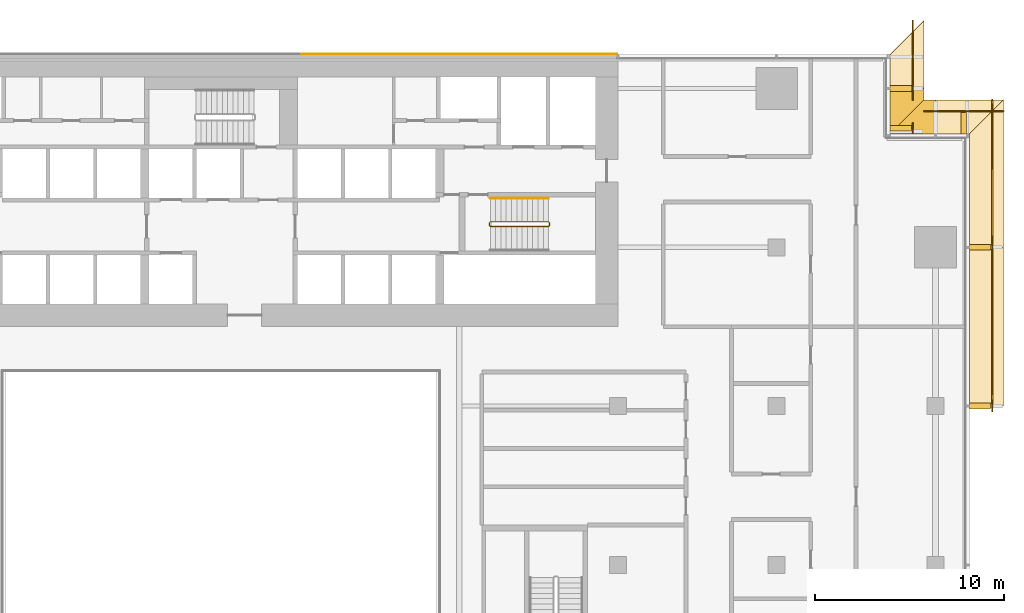
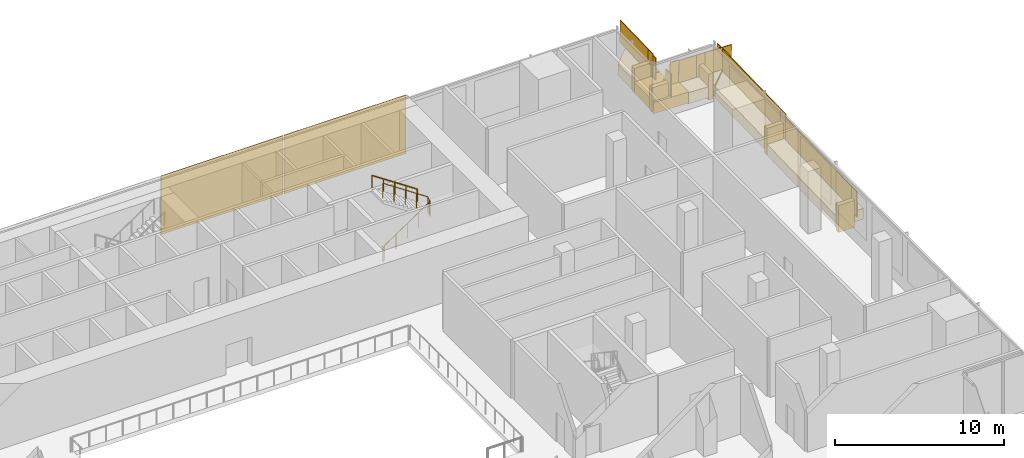
# One storey, part 23 of 23: 13 coverings, 13 railings.
"""IFC4 building model written with IfcOpenShell, lengths in metres."""

from ifc_helpers import new_model, si_unit, direction, frame, origin, origin_2d, place, context, subcontext, project, spatial, polyline, rectangle, circle, outline, extrude, material, layer, layer_set, type_object, element, save


model = new_model("IFC4")

# Units and contexts
model_context = context("Model", 3, precision=1e-05, world=origin(), true_north=direction((0.0, 1.0)))
body_context = subcontext(model_context, "Body", "Model", "MODEL_VIEW")
ifc_project = project(units=[si_unit("LENGTHUNIT", "METRE"), si_unit("AREAUNIT", "SQUARE_METRE"), si_unit("VOLUMEUNIT", "CUBIC_METRE"), si_unit("PLANEANGLEUNIT", "RADIAN"), si_unit("MASSUNIT", "GRAM", prefix="KILO")], contexts=[model_context])

# Site, building, storey
site_placement = place(None, origin())
site = spatial("IfcSite", under=ifc_project, at=site_placement, CompositionType="ELEMENT")
building_placement = place(site_placement, origin())
building = spatial("IfcBuilding", under=site, at=building_placement, Name="Saffron Gate Tower", CompositionType="ELEMENT")
storey_placement = place(building_placement, frame((0.0, 0.0, 32.699951171875)))
storey = spatial("IfcBuildingStorey", under=building, at=storey_placement, Name="L06", CompositionType="ELEMENT", Elevation=32.699951171875)

# Coverings
ifc_material_1 = material(Name="Ceramic-printed bronze insulated panel")
ifc_layer_1 = layer(ifc_material_1, 0.0400390625)
ifc_layer_set_1 = layer_set([ifc_layer_1], Name="CLD1 ceramic-printed cladding panel 40")
covering_type_1 = type_object("IfcCoveringType", Name="CLD1 ceramic-printed cladding panel 40", PredefinedType="CLADDING", material=ifc_layer_set_1)
covering_1_placement = place(storey_placement, origin())
element("IfcCovering", 1, at=covering_1_placement, inside=storey, type_object=covering_type_1, Name="CLADDING ceramic-printed panel", PredefinedType="CLADDING", context=body_context, shape_type="SweptSolid", body=[
    extrude(outline(polyline([(108.56005859375, 75.639892578125), (100.239990234375, 75.639892578125), (100.239990234375, 75.60009765625), (108.56005859375, 75.60009765625), (108.56005859375, 75.639892578125)])), origin(), (0.0, 0.0, 1.0), 4.219970703125),
])
covering_2_placement = place(storey_placement, origin())
element("IfcCovering", 2, at=covering_2_placement, inside=storey, type_object=covering_type_1, Name="CLADDING ceramic-printed panel", PredefinedType="CLADDING", context=body_context, shape_type="SweptSolid", body=[
    extrude(outline(polyline([(100.159912109375, 75.639892578125), (91.840087890625, 75.639892578125), (91.840087890625, 75.60009765625), (100.159912109375, 75.60009765625), (100.159912109375, 75.639892578125)])), origin(), (0.0, 0.0, 1.0), 4.219970703125),
])

# Railings
ifc_material_2 = material(Name="Stainless steel and laminated glass", Category="steel")
railing_type_1 = type_object("IfcRailingType", Name="CR1 Stair guard 1100", PredefinedType="GUARDRAIL", material=ifc_material_2)
railing_1_placement = place(storey_placement, frame((101.800048828125, 66.699951171875, 0.0)))
element("IfcRailing", 3, at=railing_1_placement, inside=storey, type_object=railing_type_1, Name="L06 ST-B stair guard 1", PredefinedType="GUARDRAIL", context=body_context, shape_type="SweptSolid", body=[
    extrude(circle(Radius=0.02392578125, at=origin_2d()), frame((0.0, 0.0, 1.076171875), z_axis=(0.0, -1.0, 0.0), x_axis=(1.0, 0.0, 0.0)), (0.0, 0.0, 1.0), 0.14990234375),
    extrude(circle(Radius=0.02392578125, at=origin_2d()), frame((0.0, -0.14990234375, 1.076171875), z_axis=(0.249726431254, -0.249726431254, 0.935560483917), x_axis=(0.707106781187, 0.707106781187, 0.0)), (0.0, 0.0, 1.0), 0.200439453125),
    extrude(circle(Radius=0.02392578125, at=origin_2d()), frame((0.050048828125, -0.199951171875, 1.263671875), z_axis=(0.830893310487, 0.0, 0.556431762742), x_axis=(0.0, 1.0, 0.0)), (0.0, 0.0, 1.0), 3.70654296875),
    extrude(circle(Radius=0.02392578125, at=origin_2d()), frame((3.1298828125, -0.199951171875, 3.326171875), z_axis=(0.707106781187, 0.707106781187, 0.0), x_axis=(-0.707106781187, 0.707106781187, 0.0)), (0.0, 0.0, 1.0), 0.07080078125),
    extrude(circle(Radius=0.02392578125, at=origin_2d()), frame((3.179931640625, -0.14990234375, 3.326171875), z_axis=(0.0, 1.0, 0.0), x_axis=(-1.0, 0.0, 0.0)), (0.0, 0.0, 1.0), 0.14990234375),
    extrude(circle(Radius=0.02392578125, at=origin_2d()), frame((3.179931640625, 0.0, 3.326171875), z_axis=(-0.249726431254, 0.249726431254, 0.935560483917), x_axis=(-0.707106781187, -0.707106781187, 0.0)), (0.0, 0.0, 1.0), 0.200439453125),
    extrude(circle(Radius=0.02392578125, at=origin_2d()), frame((3.1298828125, 0.050048828125, 3.513671875), z_axis=(-0.830893310487, 0.0, 0.556431762742), x_axis=(0.0, -1.0, 0.0)), (0.0, 0.0, 1.0), 3.70654296875),
    extrude(circle(Radius=0.02099609375, at=origin_2d()), origin(), (0.0, 0.0, 1.0), 1.052001953125),
    extrude(circle(Radius=0.02099609375, at=origin_2d()), frame((0.0, -0.14990234375, 0.0)), (0.0, 0.0, 1.0), 1.052001953125),
    extrude(circle(Radius=0.02099609375, at=origin_2d()), frame((0.050048828125, -0.199951171875, 0.1875)), (0.0, 0.0, 1.0), 1.052001953125),
    extrude(circle(Radius=0.02099609375, at=origin_2d()), frame((0.820068359375, -0.199951171875, 0.703125)), (0.0, 0.0, 1.0), 1.052001953125),
    extrude(circle(Radius=0.02099609375, at=origin_2d()), frame((1.58984375, -0.199951171875, 1.21875)), (0.0, 0.0, 1.0), 1.052001953125),
    extrude(circle(Radius=0.02099609375, at=origin_2d()), frame((2.35986328125, -0.199951171875, 1.734375)), (0.0, 0.0, 1.0), 1.052001953125),
    extrude(circle(Radius=0.02099609375, at=origin_2d()), frame((3.1298828125, -0.199951171875, 2.25)), (0.0, 0.0, 1.0), 1.052001953125),
    extrude(circle(Radius=0.02099609375, at=origin_2d()), frame((3.179931640625, -0.14990234375, 2.25)), (0.0, 0.0, 1.0), 1.052001953125),
    extrude(circle(Radius=0.02099609375, at=origin_2d()), frame((3.179931640625, 0.0, 2.25)), (0.0, 0.0, 1.0), 1.052001953125),
    extrude(circle(Radius=0.02099609375, at=origin_2d()), frame((3.1298828125, 0.050048828125, 2.4375)), (0.0, 0.0, 1.0), 1.052001953125),
    extrude(circle(Radius=0.02099609375, at=origin_2d()), frame((2.35986328125, 0.050048828125, 2.953125)), (0.0, 0.0, 1.0), 1.052001953125),
    extrude(circle(Radius=0.02099609375, at=origin_2d()), frame((1.58984375, 0.050048828125, 3.46875)), (0.0, 0.0, 1.0), 1.052001953125),
    extrude(circle(Radius=0.02099609375, at=origin_2d()), frame((0.820068359375, 0.050048828125, 3.984375)), (0.0, 0.0, 1.0), 1.052001953125),
    extrude(circle(Radius=0.02099609375, at=origin_2d()), frame((0.050048828125, 0.050048828125, 4.5)), (0.0, 0.0, 1.0), 1.052001953125),
])
ifc_material_3 = material(Name="Stainless steel", Category="steel")
railing_type_2 = type_object("IfcRailingType", Name="CR2 Stair handrail 900", PredefinedType="HANDRAIL", material=ifc_material_3)
railing_2_placement = place(storey_placement, frame((104.929931640625, 68.0, 2.4375)))
element("IfcRailing", 4, at=railing_2_placement, inside=storey, type_object=railing_type_2, Name="L06 ST-B stair handrail 2", PredefinedType="HANDRAIL", context=body_context, shape_type="SweptSolid", body=[
    extrude(circle(Radius=0.02392578125, at=origin_2d()), frame((0.0, 0.0, 0.8759765625), z_axis=(-0.830893310487, 0.0, 0.556431762742), x_axis=(0.0, -1.0, 0.0)), (0.0, 0.0, 1.0), 3.70654296875),
    extrude(circle(Radius=0.02099609375, at=origin_2d()), origin(), (0.0, 0.0, 1.0), 0.851806640625),
    extrude(circle(Radius=0.02099609375, at=origin_2d()), frame((-0.77001953125, 0.0, 0.515625)), (0.0, 0.0, 1.0), 0.851806640625),
    extrude(circle(Radius=0.02099609375, at=origin_2d()), frame((-1.5400390625, 0.0, 1.03125)), (0.0, 0.0, 1.0), 0.851806640625),
    extrude(circle(Radius=0.02099609375, at=origin_2d()), frame((-2.309814453125, 0.0, 1.546875)), (0.0, 0.0, 1.0), 0.851806640625),
    extrude(circle(Radius=0.02099609375, at=origin_2d()), frame((-3.079833984375, 0.0, 2.0625)), (0.0, 0.0, 1.0), 0.851806640625),
])

# Coverings
ifc_material_4 = material(Name="Timber, thermally modified ash", Category="wood")
ifc_layer_2 = layer(ifc_material_4, 0.800048828125)
ifc_layer_set_2 = layer_set([ifc_layer_2], Name="LD1 ledge timber")
covering_type_2 = type_object("IfcCoveringType", Name="LD1 ledge timber", PredefinedType="CLADDING", material=ifc_layer_set_2)
covering_3_placement = place(storey_placement, frame((127.199951171875, 57.0, 0.173828125), z_axis=(0.0, -0.028820203882, 0.99958461165), x_axis=(0.0, 0.99958461165, 0.028820203882)))
element("IfcCovering", 5, at=covering_3_placement, inside=storey, type_object=covering_type_2, Name="LEDGE", PredefinedType="CLADDING", context=body_context, shape_type="SweptSolid", body=[
    extrude(outline(polyline([(0.0, 0.0), (8.40339301530596, 0.0), (8.40339301530596, -1.800048828125), (0.0, -1.800048828125), (0.0, 0.0)])), origin(), (0.0, 0.0, -1.0), 0.800048828125),
])
covering_4_placement = place(storey_placement, frame((127.199951171875, 65.39990234375, 0.64697265625), z_axis=(-3.5027307e-05, -0.028807146299, 0.99958498743), x_axis=(-3.68e-10, 0.999584988043, 0.028807146316)))
element("IfcCovering", 6, at=covering_4_placement, inside=storey, type_object=covering_type_2, Name="LEDGE", PredefinedType="CLADDING", context=body_context, shape_type="SweptSolid", body=[
    extrude(outline(polyline([(0.0, 0.0), (6.0024892885105, -2.541098841762901e-21), (7.8032891020589235, -1.8000488321003227), (-6.622937652878055e-10, -1.8000488270207489), (0.0, 0.0)])), origin(), (0.0, 0.0, -1.0), 0.800048828125),
])
covering_5_placement = place(storey_placement, frame((127.199951171875, 71.39990234375, 0.98486328125), z_axis=(0.028831989003, -4.5191205e-05, 0.999584270769), x_axis=(-0.999584271789, 2.041e-09, 0.028831989032)))
element("IfcCovering", 7, at=covering_5_placement, inside=storey, type_object=covering_type_2, Name="LEDGE", PredefinedType="CLADDING", context=body_context, shape_type="SweptSolid", body=[
    extrude(outline(polyline([(0.0, 0.0), (1.8007998167885757, 0.0), (1.8007998204631834, -1.80004882628693), (-1.8007927740541456, -1.800048837315338), (0.0, 0.0)])), origin(), (0.0, 0.0, -1.0), 0.800048828125),
])
covering_6_placement = place(storey_placement, frame((125.39990234375, 71.39990234375, 1.08642578125), z_axis=(0.028717702301, 7.9786444e-05, 0.99958755855), x_axis=(-0.999587561732, -4.773e-09, 0.028717702392)))
element("IfcCovering", 8, at=covering_6_placement, inside=storey, type_object=covering_type_2, Name="LEDGE", PredefinedType="CLADDING", context=body_context, shape_type="SweptSolid", body=[
    extrude(outline(polyline([(0.0, 0.0), (2.400896689844359, -8.470329472543003e-22), (0.60009688553551, -1.8000488367185592), (-8.591189958294604e-09, -1.8000488223955553), (0.0, 0.0)])), origin(), (0.0, 0.0, -1.0), 0.800048828125),
])
covering_7_placement = place(storey_placement, frame((123.0, 71.39990234375, 1.221435546875), z_axis=(-7.83279e-07, -0.028875577331, 0.999583013578), x_axis=(0.0, 0.999583013578, 0.028875577331)))
element("IfcCovering", 9, at=covering_7_placement, inside=storey, type_object=covering_type_2, Name="LEDGE", PredefinedType="CLADDING", context=body_context, shape_type="SweptSolid", body=[
    extrude(outline(polyline([(0.0, 0.0), (2.4011477711054536, 6.617444900424222e-24), (2.4011477711062814, -1.8000488281244476), (1.8007998186244996, -1.800048828125828), (0.0, 0.0)])), origin(), (0.0, 0.0, -1.0), 0.800048828125),
])
covering_8_placement = place(storey_placement, frame((123.0, 73.800048828125, 1.356689453125), z_axis=(-4.6492774e-05, -0.028788135707, 0.99958553465), x_axis=(-2.161e-09, 0.99958553573, 0.028788135738)))
element("IfcCovering", 10, at=covering_8_placement, inside=storey, type_object=covering_type_2, Name="LEDGE", PredefinedType="CLADDING", context=body_context, shape_type="SweptSolid", body=[
    extrude(outline(polyline([(0.0, 0.0), (1.8007927831333284, -4.235164736271502e-22), (3.6013485512933356, -1.8000488378518529), (-3.889338571966608e-09, -1.8000488261795269), (0.0, 0.0)])), origin(), (0.0, 0.0, -1.0), 0.800048828125),
])
ifc_layer_3 = layer(ifc_material_4, 0.300048828125)
ifc_layer_set_3 = layer_set([ifc_layer_3], Name="LD3 ledge riser fin")
covering_type_3 = type_object("IfcCoveringType", Name="LD3 ledge riser fin", PredefinedType="CLADDING", material=ifc_layer_set_3)
for number, where, z_axis, x_axis, name in (
    (11, (127.760009765625, 57.0, -0.857177734375), (0.0, 0.0, 1.0), (0.0, 1.0, 0.0), "LEDGE riser fin"),
    (12, (127.760009765625, 65.39990234375, -0.384033203125), (0.0, 0.0, 1.0), (0.0, 1.0, 0.0), "LEDGE riser fin"),
):
    element("IfcCovering", number, at=place(storey_placement, frame(where, z_axis=z_axis, x_axis=x_axis)), inside=storey, type_object=covering_type_3, Name=name, PredefinedType="CLADDING", context=body_context, shape_type="SweptSolid", body=[
        extrude(rectangle(XDim=0.300048828125, YDim=1.1201171875, at=origin_2d()), origin(), (0.0, 0.0, 1.0), 1.93115234375),
    ])
covering_9_placement = place(storey_placement, frame((126.89990234375, 71.9599609375, 0.02001953125), z_axis=(0.0, 0.0, 1.0), x_axis=(-1.0, 0.0, 0.0)))
element("IfcCovering", 13, at=covering_9_placement, inside=storey, type_object=covering_type_3, Name="LEDGE riser fin", PredefinedType="CLADDING", context=body_context, shape_type="SweptSolid", body=[
    extrude(rectangle(XDim=0.300048828125, YDim=1.1201171875, at=origin_2d()), origin(), (0.0, 0.0, 1.0), 1.864990234375),
])
for number, where, z_axis, x_axis, name in (
    (14, (123.56005859375, 71.699951171875, 0.35546875), (0.0, 0.0, 1.0), (0.0, 1.0, 0.0), "LEDGE riser fin"),
    (15, (123.56005859375, 73.800048828125, 0.49072265625), (0.0, 0.0, 1.0), (0.0, 1.0, 0.0), "LEDGE riser fin"),
):
    element("IfcCovering", number, at=place(storey_placement, frame(where, z_axis=z_axis, x_axis=x_axis)), inside=storey, type_object=covering_type_3, Name=name, PredefinedType="CLADDING", context=body_context, shape_type="SweptSolid", body=[
        extrude(rectangle(XDim=0.300048828125, YDim=1.1201171875, at=origin_2d()), origin(), (0.0, 0.0, 1.0), 1.76611328125),
    ])

# Railings
railing_type_3 = type_object("IfcRailingType", Name="LG1 ledge balustrade", PredefinedType="BALUSTRADE", material=ifc_material_4)
railing_3_placement = place(storey_placement, frame((128.39990234375, 57.0, 0.173828125)))
element("IfcRailing", 16, at=railing_3_placement, inside=storey, type_object=railing_type_3, Name="LEDGE BALUSTRADE", PredefinedType="BALUSTRADE", context=body_context, shape_type="SweptSolid", body=[
    extrude(rectangle(XDim=0.06005859375, YDim=1.60009765625, at=origin_2d()), frame((0.0, 0.0, 0.800048828125), z_axis=(0.0, 0.99958461165, 0.028820203882), x_axis=(-1.0, 0.0, 0.0)), (0.0, 0.0, 1.0), 8.4033203125),
])
railing_4_placement = place(storey_placement, frame((128.39990234375, 56.699951171875, -0.05712890625)))
element("IfcRailing", 17, at=railing_4_placement, inside=storey, type_object=railing_type_3, Name="LEDGE BALUSTRADE", PredefinedType="BALUSTRADE", context=body_context, shape_type="SweptSolid", body=[
    extrude(rectangle(XDim=0.06005859375, YDim=1.8310546875, at=origin_2d()), frame((0.0, 0.0, 0.91552734375), z_axis=(0.0, 1.0, 0.0), x_axis=(-1.0, 0.0, 0.0)), (0.0, 0.0, 1.0), 0.60009765625),
])
railing_5_placement = place(storey_placement, frame((128.39990234375, 65.39990234375, 0.64697265625)))
element("IfcRailing", 18, at=railing_5_placement, inside=storey, type_object=railing_type_3, Name="LEDGE BALUSTRADE", PredefinedType="BALUSTRADE", context=body_context, shape_type="SweptSolid", body=[
    extrude(rectangle(XDim=0.06005859375, YDim=1.60009765625, at=origin_2d()), frame((0.0, 0.0, 0.800048828125), z_axis=(0.0, 0.999584755248, 0.028815222999), x_axis=(-1.0, 0.0, 0.0)), (0.0, 0.0, 1.0), 7.80322265625),
])
railing_6_placement = place(storey_placement, frame((128.39990234375, 65.10009765625, 0.416015625)))
element("IfcRailing", 19, at=railing_6_placement, inside=storey, type_object=railing_type_3, Name="LEDGE BALUSTRADE", PredefinedType="BALUSTRADE", context=body_context, shape_type="SweptSolid", body=[
    extrude(rectangle(XDim=0.06005859375, YDim=1.8310546875, at=origin_2d()), frame((0.0, 0.0, 0.91552734375), z_axis=(0.0, 1.0, 0.0), x_axis=(-1.0, 0.0, 0.0)), (0.0, 0.0, 1.0), 0.599853515625),
])
railing_7_placement = place(storey_placement, frame((129.0, 72.60009765625, 0.93310546875)))
element("IfcRailing", 20, at=railing_7_placement, inside=storey, type_object=railing_type_3, Name="LEDGE BALUSTRADE", PredefinedType="BALUSTRADE", context=body_context, shape_type="SweptSolid", body=[
    extrude(rectangle(XDim=0.06005859375, YDim=1.60009765625, at=origin_2d()), frame((0.0, 0.0, 0.800048828125), z_axis=(-0.99958492274, 0.0, 0.028809412191), x_axis=(0.0, -1.0, 0.0)), (0.0, 0.0, 1.0), 3.6015625),
])
railing_8_placement = place(storey_placement, frame((127.199951171875, 72.60009765625, 0.81982421875)))
element("IfcRailing", 21, at=railing_8_placement, inside=storey, type_object=railing_type_3, Name="LEDGE BALUSTRADE", PredefinedType="BALUSTRADE", context=body_context, shape_type="SweptSolid", body=[
    extrude(rectangle(XDim=0.06005859375, YDim=1.76513671875, at=origin_2d()), frame((0.0, 0.0, 0.882568359375), z_axis=(-1.0, 0.0, 0.0), x_axis=(0.0, -1.0, 0.0)), (0.0, 0.0, 1.0), 0.599853515625),
])
railing_9_placement = place(storey_placement, frame((125.39990234375, 72.60009765625, 1.08642578125)))
element("IfcRailing", 22, at=railing_9_placement, inside=storey, type_object=railing_type_3, Name="LEDGE BALUSTRADE", PredefinedType="BALUSTRADE", context=body_context, shape_type="SweptSolid", body=[
    extrude(rectangle(XDim=0.06005859375, YDim=1.60009765625, at=origin_2d()), frame((0.0, 0.0, 0.800048828125), z_axis=(-0.999594406032, 0.0, 0.028478473106), x_axis=(0.0, -1.0, 0.0)), (0.0, 0.0, 1.0), 0.60009765625),
])
railing_10_placement = place(storey_placement, frame((124.199951171875, 73.199951171875, 1.2734375)))
element("IfcRailing", 23, at=railing_10_placement, inside=storey, type_object=railing_type_3, Name="LEDGE BALUSTRADE", PredefinedType="BALUSTRADE", context=body_context, shape_type="SweptSolid", body=[
    extrude(rectangle(XDim=0.06005859375, YDim=1.60009765625, at=origin_2d()), frame((0.0, 0.0, 0.800048828125), z_axis=(0.0, 0.999583081391, 0.028873229772), x_axis=(-1.0, 0.0, 0.0)), (0.0, 0.0, 1.0), 0.600341796875),
])
railing_11_placement = place(storey_placement, frame((124.199951171875, 71.39990234375, 1.155517578125)))
element("IfcRailing", 24, at=railing_11_placement, inside=storey, type_object=railing_type_3, Name="LEDGE BALUSTRADE", PredefinedType="BALUSTRADE", context=body_context, shape_type="SweptSolid", body=[
    extrude(rectangle(XDim=0.06005859375, YDim=1.666015625, at=origin_2d()), frame((0.0, 0.0, 0.8330078125), z_axis=(0.0, 1.0, 0.0), x_axis=(-1.0, 0.0, 0.0)), (0.0, 0.0, 1.0), 0.60009765625),
])
railing_12_placement = place(storey_placement, frame((124.199951171875, 73.800048828125, 1.356689453125)))
element("IfcRailing", 25, at=railing_12_placement, inside=storey, type_object=railing_type_3, Name="LEDGE BALUSTRADE", PredefinedType="BALUSTRADE", context=body_context, shape_type="SweptSolid", body=[
    extrude(rectangle(XDim=0.06005859375, YDim=1.60009765625, at=origin_2d()), frame((0.0, 0.0, 0.800048828125), z_axis=(0.0, 0.999584866472, 0.028811364412), x_axis=(-1.0, 0.0, 0.0)), (0.0, 0.0, 1.0), 3.601318359375),
])
railing_13_placement = place(storey_placement, frame((124.199951171875, 73.5, 1.290771484375)))
element("IfcRailing", 26, at=railing_13_placement, inside=storey, type_object=railing_type_3, Name="LEDGE BALUSTRADE", PredefinedType="BALUSTRADE", context=body_context, shape_type="SweptSolid", body=[
    extrude(rectangle(XDim=0.06005859375, YDim=1.666015625, at=origin_2d()), frame((0.0, 0.0, 0.8330078125), z_axis=(0.0, 1.0, 0.0), x_axis=(-1.0, 0.0, 0.0)), (0.0, 0.0, 1.0), 0.60009765625),
])

save(model, "model.ifc")
